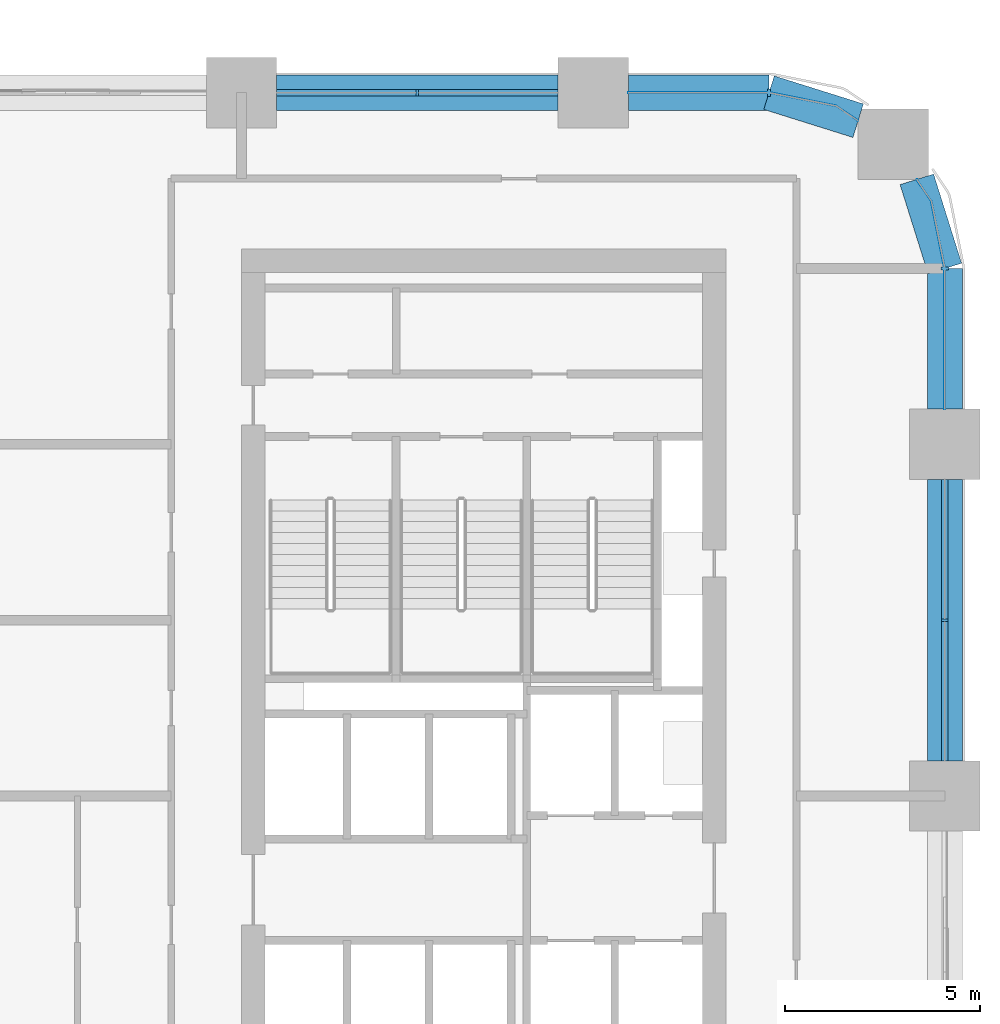
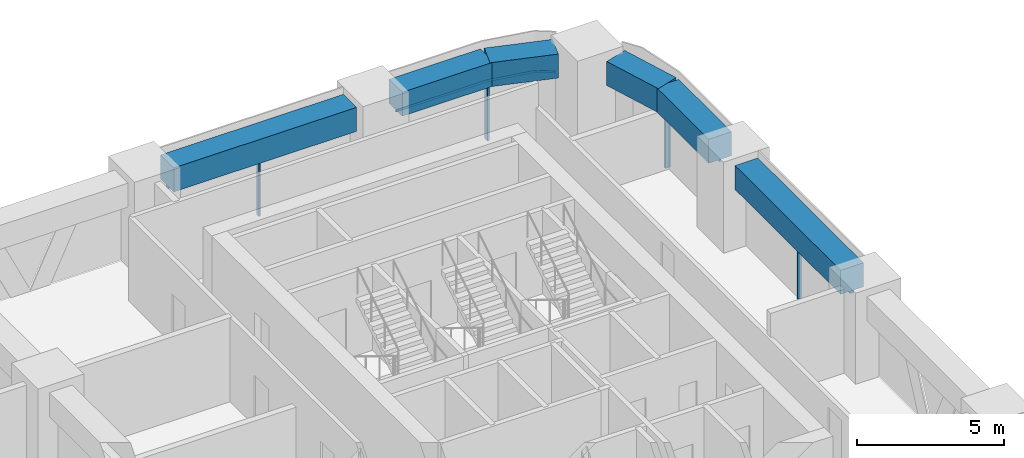
# One storey, part 8 of 18: 8 members, 6 beams, 4 elements without a shape of their own.
"""IFC4 building model written with IfcOpenShell, lengths in metres."""

from ifc_helpers import new_model, si_unit, direction, frame, origin, origin_2d, place, context, subcontext, project, spatial, polyline, rectangle, outline, extrude, material, material_profile, profile_set, type_object, element, aggregate, save


model = new_model("IFC4")

# Units and contexts
model_context = context("Model", 3, precision=1e-05, world=origin(), true_north=direction((0.0, 1.0)))
body_context = subcontext(model_context, "Body", "Model", "MODEL_VIEW")
ifc_project = project(units=[si_unit("LENGTHUNIT", "METRE"), si_unit("AREAUNIT", "SQUARE_METRE"), si_unit("VOLUMEUNIT", "CUBIC_METRE"), si_unit("PLANEANGLEUNIT", "RADIAN"), si_unit("MASSUNIT", "GRAM", prefix="KILO")], contexts=[model_context])

# Site, building, storey
site_placement = place(None, origin())
site = spatial("IfcSite", under=ifc_project, at=site_placement, CompositionType="ELEMENT")
building_placement = place(site_placement, origin())
building = spatial("IfcBuilding", under=site, at=building_placement, Name="Tessera Arch", CompositionType="ELEMENT")
storey_placement = place(building_placement, frame((0.0, 0.0, 100.60009765625)))
storey = spatial("IfcBuildingStorey", under=building, at=storey_placement, Name="L23", CompositionType="ELEMENT", Elevation=100.60009765625)

# Curtain wall, member
ifc_material_1 = material(Name="CW1 curtain wall")
curtain_wall_type_1 = type_object("IfcCurtainWallType", Name="CW1 curtain wall", PredefinedType="NOTDEFINED", material=ifc_material_1)
curtain_wall_1_placement = place(storey_placement, origin())
curtain_wall_1 = element("IfcCurtainWall", 1, at=curtain_wall_1_placement, inside=storey, type_object=curtain_wall_type_1, Name="CW1 curtain wall N54.0/0 L23", PredefinedType="NOTDEFINED")
ifc_material_2 = material(Name="Anodised aluminium pale metal", Category="aluminium")
ifc_material_profile_1 = material_profile(ifc_material_2, rectangle(XDim=0.159912109375, YDim=0.06005859375, at=origin_2d()), Name="AL 60x160")
ifc_profile_set_1 = profile_set([ifc_material_profile_1], Name="Anodised aluminium pale metal")
member_type_1 = type_object("IfcMemberType", Name="CW1 mullion", PredefinedType="MULLION", material=ifc_profile_set_1)
member_1_placement = place(storey_placement, frame((40.5, 54.0, 0.0), z_axis=(0.0, 0.0, 1.0), x_axis=(0.0, -1.0, 0.0)))
member_1 = element("IfcMember", 2, at=member_1_placement, type_object=member_type_1, Name="CW1 mullion N54.0/0 1", PredefinedType="MULLION", context=body_context, shape_type="SweptSolid", body=[
    extrude(rectangle(XDim=0.159912109375, YDim=0.06005859375, at=origin_2d()), origin(), (0.0, 0.0, 1.0), 2.39990234375),
])

curtain_wall_2_placement = place(storey_placement, origin())
curtain_wall_2 = element("IfcCurtainWall", 3, at=curtain_wall_2_placement, inside=storey, type_object=curtain_wall_type_1, Name="CW1 curtain wall E54.0/4 L23", PredefinedType="NOTDEFINED")
member_2_placement = place(storey_placement, frame((54.0, 40.5, 0.0), z_axis=(0.0, 0.0, 1.0), x_axis=(-1.0, 0.0, 0.0)))
member_2 = element("IfcMember", 4, at=member_2_placement, type_object=member_type_1, Name="CW1 mullion E54.0/4 1", PredefinedType="MULLION", context=body_context, shape_type="SweptSolid", body=[
    extrude(rectangle(XDim=0.159912109375, YDim=0.06005859375, at=origin_2d()), origin(), (0.0, 0.0, 1.0), 2.39990234375),
])

# Member
ifc_material_3 = material(Name="Anodised aluminium pale metal", Category="aluminium")
ifc_material_profile_2 = material_profile(ifc_material_3, rectangle(XDim=0.159912109375, YDim=0.10009765625, at=origin_2d()), Name="AL 160x100")
ifc_profile_set_2 = profile_set([ifc_material_profile_2], Name="Anodised aluminium pale metal")
member_type_2 = type_object("IfcMemberType", Name="CW1 transom", PredefinedType="USERDEFINED", material=ifc_profile_set_2)
member_3_placement = place(storey_placement, frame((44.10009765625, 54.0, 2.449951171875), z_axis=(-1.0, 0.0, 0.0), x_axis=(0.0, -1.0, 0.0)))
member_3 = element("IfcMember", 5, at=member_3_placement, type_object=member_type_2, Name="CW1 transom N54.0/0 1.1", ObjectType="TRANSOM", PredefinedType="USERDEFINED", context=body_context, shape_type="SweptSolid", body=[
    extrude(rectangle(XDim=0.159912109375, YDim=0.10009765625, at=origin_2d()), origin(), (0.0, 0.0, 1.0), 7.2001953125),
])

aggregate(curtain_wall_1, [member_1, member_3])

member_4_placement = place(storey_placement, frame((54.0, 36.89990234375, 2.449951171875), z_axis=(0.0, 1.0, 0.0), x_axis=(-1.0, 0.0, 0.0)))
member_4 = element("IfcMember", 6, at=member_4_placement, type_object=member_type_2, Name="CW1 transom E54.0/4 1.1", ObjectType="TRANSOM", PredefinedType="USERDEFINED", context=body_context, shape_type="SweptSolid", body=[
    extrude(rectangle(XDim=0.159912109375, YDim=0.10009765625, at=origin_2d()), origin(), (0.0, 0.0, 1.0), 7.2001953125),
])

aggregate(curtain_wall_2, [member_2, member_4])

# Curtain wall, member
ifc_material_4 = material(Name="CW2 curtain wall")
curtain_wall_type_2 = type_object("IfcCurtainWallType", Name="CW2 curtain wall", PredefinedType="NOTDEFINED", material=ifc_material_4)
curtain_wall_3_placement = place(storey_placement, origin())
curtain_wall_3 = element("IfcCurtainWall", 7, at=curtain_wall_3_placement, inside=storey, type_object=curtain_wall_type_2, Name="CW2 curtain wall E54.0/5 L23", PredefinedType="NOTDEFINED")
ifc_material_5 = material(Name="Anodised aluminium pale metal", Category="aluminium")
ifc_material_profile_3 = material_profile(ifc_material_5, rectangle(XDim=0.199951171875, YDim=0.080078125, at=origin_2d()), Name="AL 80x200")
ifc_profile_set_3 = profile_set([ifc_material_profile_3], Name="Anodised aluminium pale metal")
member_type_3 = type_object("IfcMemberType", Name="CW2 mullion", PredefinedType="MULLION", material=ifc_profile_set_3)
member_5_placement = place(storey_placement, frame((54.0, 49.5, 0.0), z_axis=(0.0, 0.0, 1.0), x_axis=(-1.0, 0.0, 0.0)))
member_5 = element("IfcMember", 8, at=member_5_placement, type_object=member_type_3, Name="CW2 mullion E54.0/5 1", PredefinedType="MULLION", context=body_context, shape_type="SweptSolid", body=[
    extrude(rectangle(XDim=0.199951171875, YDim=0.080078125, at=origin_2d()), origin(), (0.0, 0.0, 1.0), 2.39990234375),
])

curtain_wall_4_placement = place(storey_placement, origin())
curtain_wall_4 = element("IfcCurtainWall", 9, at=curtain_wall_4_placement, inside=storey, type_object=curtain_wall_type_2, Name="CW2 curtain wall N54.0/5 L23", PredefinedType="NOTDEFINED")
member_6_placement = place(storey_placement, frame((49.5, 54.0, 0.0), z_axis=(0.0, 0.0, 1.0), x_axis=(0.0, -1.0, 0.0)))
member_6 = element("IfcMember", 10, at=member_6_placement, type_object=member_type_3, Name="CW2 mullion N54.0/5 1", PredefinedType="MULLION", context=body_context, shape_type="SweptSolid", body=[
    extrude(rectangle(XDim=0.199951171875, YDim=0.080078125, at=origin_2d()), origin(), (0.0, 0.0, 1.0), 2.39990234375),
])

# Member
ifc_material_6 = material(Name="Anodised aluminium pale metal", Category="aluminium")
ifc_material_profile_4 = material_profile(ifc_material_6, rectangle(XDim=0.199951171875, YDim=0.10009765625, at=origin_2d()), Name="AL 200x100")
ifc_profile_set_4 = profile_set([ifc_material_profile_4], Name="Anodised aluminium pale metal")
member_type_4 = type_object("IfcMemberType", Name="CW2 transom", PredefinedType="USERDEFINED", material=ifc_profile_set_4)
member_7_placement = place(storey_placement, frame((0.0, 0.0, 2.39990234375)))
member_7 = element("IfcMember", 11, at=member_7_placement, type_object=member_type_4, Name="CW2 transom E54.0/5 1", ObjectType="TRANSOM", PredefinedType="USERDEFINED", context=body_context, shape_type="SweptSolid", body=[
    extrude(outline(polyline([(53.989990234375, 49.4990234375), (53.989990234375, 45.89990234375), (54.010009765625, 45.89990234375), (54.010009765625, 49.5009765625), (53.6669921875, 51.22607421875), (53.29150390625, 51.78759765625), (53.27490234375, 51.7763671875), (53.648193359375, 51.21826171875), (53.989990234375, 49.4990234375)])), origin(), (0.0, 0.0, 1.0), 0.10009765625),
])

aggregate(curtain_wall_3, [member_5, member_7])

member_8_placement = place(storey_placement, frame((0.0, 0.0, 2.39990234375)))
member_8 = element("IfcMember", 12, at=member_8_placement, type_object=member_type_4, Name="CW2 transom N54.0/5 1", ObjectType="TRANSOM", PredefinedType="USERDEFINED", context=body_context, shape_type="SweptSolid", body=[
    extrude(outline(polyline([(51.21826171875, 53.648193359375), (51.7763671875, 53.27490234375), (51.78759765625, 53.29150390625), (51.22607421875, 53.6669921875), (49.5009765625, 54.010009765625), (45.89990234375, 54.010009765625), (45.89990234375, 53.989990234375), (49.4990234375, 53.989990234375), (51.21826171875, 53.648193359375)])), origin(), (0.0, 0.0, 1.0), 0.10009765625),
])

aggregate(curtain_wall_4, [member_6, member_8])

# Beams
ifc_material_7 = material(Name="Concrete C80/95", Category="concrete")
ifc_material_profile_5 = material_profile(ifc_material_7, rectangle(XDim=0.89990234375, YDim=1.0, at=origin_2d()), Name="RC spandrel beam 900 x 1000 Concrete C80/95")
ifc_profile_set_5 = profile_set([ifc_material_profile_5], Name="Concrete C80/95")
beam_type = type_object("IfcBeamType", Name="RC spandrel beam 900 x 1000 Concrete C80/95", PredefinedType="BEAM", material=ifc_profile_set_5)
for number, where, z_axis, x_axis, name in (
    (13, (44.10009765625, 54.0, 3.0), (-1.0, 0.0, 0.0), (0.0, -1.0, 0.0), "Spandrel beam L23 N54.0/0"),
    (14, (54.0, 36.89990234375, 3.0), (0.0, 1.0, 0.0), (-1.0, 0.0, 0.0), "Spandrel beam L23 E54.0/4"),
):
    element("IfcBeam", number, at=place(storey_placement, frame(where, z_axis=z_axis, x_axis=x_axis)), inside=storey, type_object=beam_type, Name=name, PredefinedType="BEAM", context=body_context, shape_type="SweptSolid", body=[
        extrude(rectangle(XDim=0.89990234375, YDim=1.0, at=origin_2d()), origin(), (0.0, 0.0, 1.0), 7.2001953125),
    ])
beam_1_placement = place(storey_placement, frame((54.0, 45.89990234375, 3.0), z_axis=(0.0, 1.0, 0.0), x_axis=(-1.0, 0.0, 0.0)))
element("IfcBeam", 15, at=beam_1_placement, inside=storey, type_object=beam_type, Name="Spandrel beam L23 E54.0/5.1", PredefinedType="BEAM", context=body_context, shape_type="SweptSolid", body=[
    extrude(rectangle(XDim=0.89990234375, YDim=1.0, at=origin_2d()), origin(), (0.0, 0.0, 1.0), 3.60009765625),
])
for number, where, z_axis, x_axis, name in (
    (16, (54.0, 49.5, 3.0), (-0.299675309057, 0.954041251279, 0.0), (-0.954041251279, -0.299675309057, 0.0), "Spandrel beam L23 E54.0/5.2"),
    (17, (51.781982421875, 53.283203125, 3.0), (-0.954041251279, 0.299675309057, 0.0), (-0.299675309057, -0.954041251279, 0.0), "Spandrel beam L23 N54.0/5.1"),
):
    element("IfcBeam", number, at=place(storey_placement, frame(where, z_axis=z_axis, x_axis=x_axis)), inside=storey, type_object=beam_type, Name=name, PredefinedType="BEAM", context=body_context, shape_type="SweptSolid", body=[
        extrude(rectangle(XDim=0.89990234375, YDim=1.0, at=origin_2d()), origin(), (0.0, 0.0, 1.0), 2.391845703125),
    ])
beam_2_placement = place(storey_placement, frame((49.5, 54.0, 3.0), z_axis=(-1.0, 0.0, 0.0), x_axis=(0.0, -1.0, 0.0)))
element("IfcBeam", 18, at=beam_2_placement, inside=storey, type_object=beam_type, Name="Spandrel beam L23 N54.0/5.2", PredefinedType="BEAM", context=body_context, shape_type="SweptSolid", body=[
    extrude(rectangle(XDim=0.89990234375, YDim=1.0, at=origin_2d()), origin(), (0.0, 0.0, 1.0), 3.60009765625),
])

save(model, "model.ifc")
